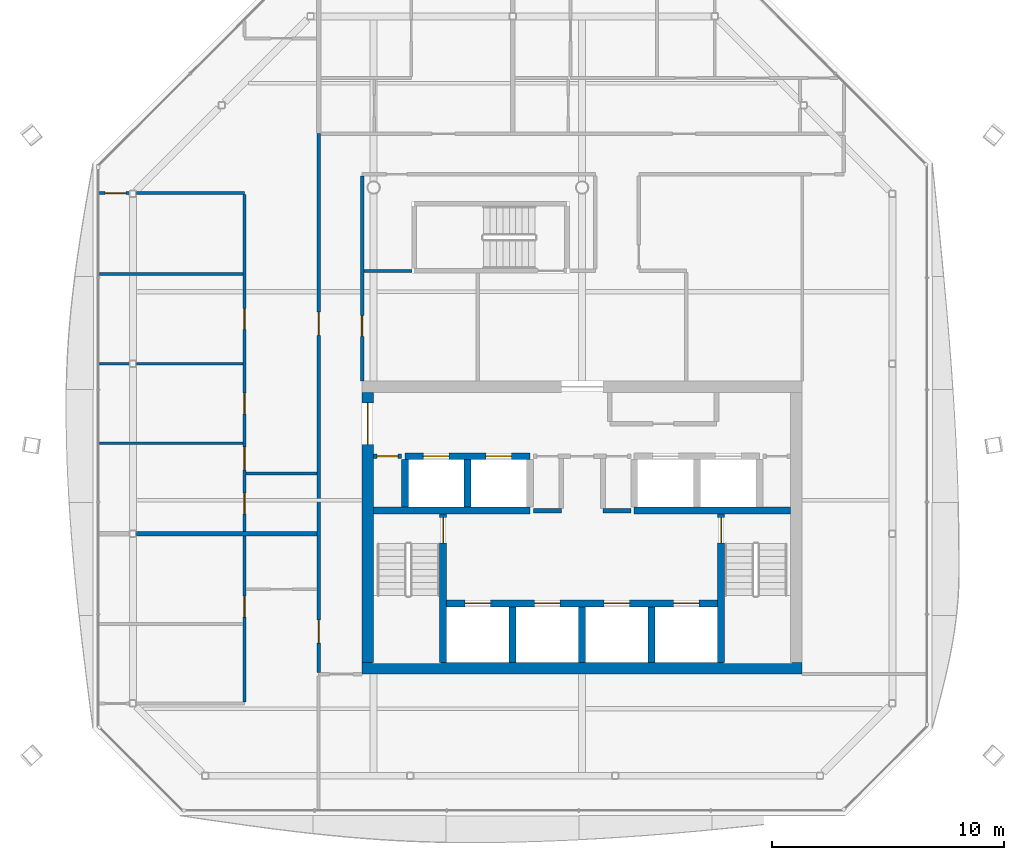
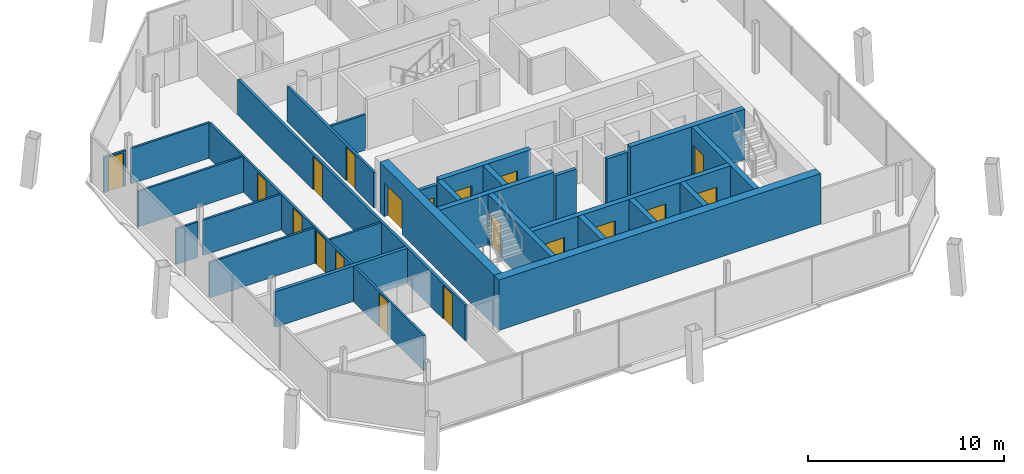
# One storey, part 10 of 15: 28 walls, 19 doors, 19 openings.
"""IFC4 building model written with IfcOpenShell, lengths in metres."""

from ifc_helpers import new_model, si_unit, direction, frame, frame_2d, origin, place, context, subcontext, project, spatial, rectangle, extrude, material, layer, layer_set, type_object, element, fill, save


model = new_model("IFC4")

# Units and contexts
model_context = context("Model", 3, precision=1e-05, world=origin(), true_north=direction((0.0, 1.0)))
body_context = subcontext(model_context, "Body", "Model", "MODEL_VIEW")
ifc_project = project(units=[si_unit("LENGTHUNIT", "METRE"), si_unit("AREAUNIT", "SQUARE_METRE"), si_unit("VOLUMEUNIT", "CUBIC_METRE"), si_unit("PLANEANGLEUNIT", "RADIAN"), si_unit("MASSUNIT", "GRAM", prefix="KILO")], contexts=[model_context])

# Site, building, storey
site_placement = place(None, origin())
site = spatial("IfcSite", under=ifc_project, at=site_placement, CompositionType="ELEMENT")
building_placement = place(site_placement, origin())
building = spatial("IfcBuilding", under=site, at=building_placement, Name="Tskaro Facet Tower", CompositionType="ELEMENT")
storey_placement = place(building_placement, frame((0.0, 0.0, 239.25)))
storey = spatial("IfcBuildingStorey", under=building, at=storey_placement, Name="L62", CompositionType="ELEMENT", Elevation=239.25)

# Wall, openings, doors
ifc_material_1 = material(Name="Concrete C60/75", Category="concrete")
ifc_layer_1 = layer(ifc_material_1, 0.300048828125, Name="Concrete C60/75")
ifc_layer_set_1 = layer_set([ifc_layer_1], Name="Concrete C60/75")
wall_type_1 = type_object("IfcWallType", Name="CORE-SHAFT", PredefinedType="SHEAR", material=ifc_layer_set_1)
wall_1_placement = place(storey_placement, frame((-5.85009765625, -8.949951171875, 0.0), z_axis=(0.0, 0.0, 1.0), x_axis=(1.0, 0.0, 0.0)))
wall_1 = element("IfcWall", 1, at=wall_1_placement, inside=storey, type_object=wall_type_1, Name="Shaft wall W006", PredefinedType="SHEAR", context=body_context, shape_type="SweptSolid", body=[
    extrude(rectangle(XDim=11.7001953125, YDim=0.300048828125, at=frame_2d((5.85009765625, 0.0))), origin(), (0.0, 0.0, 1.0), 3.14990234375),
])
opening_1_placement = place(wall_1_placement, frame((0.800048828125, 0.0, 0.0)))
opening_1 = element("IfcOpeningElement", 2, at=opening_1_placement, cuts=wall_1, Name="Opening LD-FF1", PredefinedType="OPENING", context=body_context, shape_type="SweptSolid", body=[
    extrude(rectangle(XDim=1.10009765625, YDim=2.10009765625, at=frame_2d((0.550048828125, 1.050048828125))), frame((0.0, 0.159912109375, 0.0), z_axis=(0.0, -1.0, 0.0), x_axis=(1.0, 0.0, 0.0)), (0.0, 0.0, 1.0), 0.320068359375),
])
opening_2_placement = place(wall_1_placement, frame((3.800048828125, 0.0, 0.0)))
opening_2 = element("IfcOpeningElement", 3, at=opening_2_placement, cuts=wall_1, Name="Opening LD-FF2", PredefinedType="OPENING", context=body_context, shape_type="SweptSolid", body=[
    extrude(rectangle(XDim=1.10009765625, YDim=2.10009765625, at=frame_2d((0.550048828125, 1.050048828125))), frame((0.0, 0.159912109375, 0.0), z_axis=(0.0, -1.0, 0.0), x_axis=(1.0, 0.0, 0.0)), (0.0, 0.0, 1.0), 0.320068359375),
])
opening_3_placement = place(wall_1_placement, frame((6.800048828125, 0.0, 0.0)))
opening_3 = element("IfcOpeningElement", 4, at=opening_3_placement, cuts=wall_1, Name="Opening LD-SV1", PredefinedType="OPENING", context=body_context, shape_type="SweptSolid", body=[
    extrude(rectangle(XDim=1.10009765625, YDim=2.10009765625, at=frame_2d((0.550048828125, 1.050048828125))), frame((0.0, 0.159912109375, 0.0), z_axis=(0.0, -1.0, 0.0), x_axis=(1.0, 0.0, 0.0)), (0.0, 0.0, 1.0), 0.320068359375),
])
opening_4_placement = place(wall_1_placement, frame((9.800048828125, 0.0, 0.0)))
opening_4 = element("IfcOpeningElement", 5, at=opening_4_placement, cuts=wall_1, Name="Opening LD-SV2", PredefinedType="OPENING", context=body_context, shape_type="SweptSolid", body=[
    extrude(rectangle(XDim=1.10009765625, YDim=2.10009765625, at=frame_2d((0.550048828125, 1.050048828125))), frame((0.0, 0.159912109375, 0.0), z_axis=(0.0, -1.0, 0.0), x_axis=(1.0, 0.0, 0.0)), (0.0, 0.0, 1.0), 0.320068359375),
])
ifc_material_2 = material(Name="Stainless steel", Category="steel")
door_type_1 = type_object("IfcDoorType", Name="D-LANDING", OperationType="NOTDEFINED", PredefinedType="DOOR", material=ifc_material_2)
door_1_placement = place(opening_1_placement, origin())
door_1 = element("IfcDoor", 6, at=door_1_placement, inside=storey, type_object=door_type_1, Name="Landing door FF1", OperationType="DOUBLE_DOOR_SLIDING", OverallHeight=2.10009765625, OverallWidth=1.10009765625, PredefinedType="DOOR", context=body_context, shape_type="SweptSolid", body=[
    extrude(rectangle(XDim=1.10009765625, YDim=2.10009765625, at=frame_2d((0.550048828125, 1.050048828125))), frame((0.0, 0.02490234375, 0.0), z_axis=(0.0, -1.0, 0.0), x_axis=(1.0, 0.0, 0.0)), (0.0, 0.0, 1.0), 0.050048828125),
])
fill(opening_1, door_1)
door_2_placement = place(opening_2_placement, origin())
door_2 = element("IfcDoor", 7, at=door_2_placement, inside=storey, type_object=door_type_1, Name="Landing door FF2", OperationType="DOUBLE_DOOR_SLIDING", OverallHeight=2.10009765625, OverallWidth=1.10009765625, PredefinedType="DOOR", context=body_context, shape_type="SweptSolid", body=[
    extrude(rectangle(XDim=1.10009765625, YDim=2.10009765625, at=frame_2d((0.550048828125, 1.050048828125))), frame((0.0, 0.02490234375, 0.0), z_axis=(0.0, -1.0, 0.0), x_axis=(1.0, 0.0, 0.0)), (0.0, 0.0, 1.0), 0.050048828125),
])
fill(opening_2, door_2)
door_3_placement = place(opening_3_placement, origin())
door_3 = element("IfcDoor", 8, at=door_3_placement, inside=storey, type_object=door_type_1, Name="Landing door SV1", OperationType="DOUBLE_DOOR_SLIDING", OverallHeight=2.10009765625, OverallWidth=1.10009765625, PredefinedType="DOOR", context=body_context, shape_type="SweptSolid", body=[
    extrude(rectangle(XDim=1.10009765625, YDim=2.10009765625, at=frame_2d((0.550048828125, 1.050048828125))), frame((0.0, 0.02490234375, 0.0), z_axis=(0.0, -1.0, 0.0), x_axis=(1.0, 0.0, 0.0)), (0.0, 0.0, 1.0), 0.050048828125),
])
fill(opening_3, door_3)
door_4_placement = place(opening_4_placement, origin())
door_4 = element("IfcDoor", 9, at=door_4_placement, inside=storey, type_object=door_type_1, Name="Landing door SV2", OperationType="DOUBLE_DOOR_SLIDING", OverallHeight=2.10009765625, OverallWidth=1.10009765625, PredefinedType="DOOR", context=body_context, shape_type="SweptSolid", body=[
    extrude(rectangle(XDim=1.10009765625, YDim=2.10009765625, at=frame_2d((0.550048828125, 1.050048828125))), frame((0.0, 0.02490234375, 0.0), z_axis=(0.0, -1.0, 0.0), x_axis=(1.0, 0.0, 0.0)), (0.0, 0.0, 1.0), 0.050048828125),
])
fill(opening_4, door_4)

# Walls
for number, where, z_axis, x_axis, name in (
    (10, (-9.0, -4.949951171875, 0.0), (0.0, 0.0, 1.0), (1.0, 0.0, 0.0), "Shaft wall W010"),
    (11, (2.25, -4.949951171875, 0.0), (0.0, 0.0, 1.0), (1.0, 0.0, 0.0), "Shaft wall W013"),
):
    element("IfcWall", number, at=place(storey_placement, frame(where, z_axis=z_axis, x_axis=x_axis)), inside=storey, type_object=wall_type_1, Name=name, PredefinedType="SHEAR", context=body_context, shape_type="SweptSolid", body=[
        extrude(rectangle(XDim=6.75, YDim=0.300048828125, at=frame_2d((3.375, 0.0))), origin(), (0.0, 0.0, 1.0), 3.14990234375),
    ])

# Wall, openings, doors
wall_2_placement = place(storey_placement, frame((-7.64990234375, -2.60009765625, 0.0), z_axis=(0.0, 0.0, 1.0), x_axis=(1.0, 0.0, 0.0)))
wall_2 = element("IfcWall", 12, at=wall_2_placement, inside=storey, type_object=wall_type_1, Name="Shaft wall W016", PredefinedType="SHEAR", context=body_context, shape_type="SweptSolid", body=[
    extrude(rectangle(XDim=5.39990234375, YDim=0.300048828125, at=frame_2d((2.699951171875, 0.0))), origin(), (0.0, 0.0, 1.0), 3.14990234375),
])
opening_5_placement = place(wall_2_placement, frame((0.800048828125, 0.0, 0.0)))
opening_5 = element("IfcOpeningElement", 13, at=opening_5_placement, cuts=wall_2, Name="Opening LD-HB1", PredefinedType="OPENING", context=body_context, shape_type="SweptSolid", body=[
    extrude(rectangle(XDim=1.10009765625, YDim=2.10009765625, at=frame_2d((0.550048828125, 1.050048828125))), frame((0.0, 0.159912109375, 0.0), z_axis=(0.0, -1.0, 0.0), x_axis=(1.0, 0.0, 0.0)), (0.0, 0.0, 1.0), 0.320068359375),
])
opening_6_placement = place(wall_2_placement, frame((3.5, 0.0, 0.0)))
opening_6 = element("IfcOpeningElement", 14, at=opening_6_placement, cuts=wall_2, Name="Opening LD-HB2", PredefinedType="OPENING", context=body_context, shape_type="SweptSolid", body=[
    extrude(rectangle(XDim=1.10009765625, YDim=2.10009765625, at=frame_2d((0.550048828125, 1.050048828125))), frame((0.0, 0.159912109375, 0.0), z_axis=(0.0, -1.0, 0.0), x_axis=(1.0, 0.0, 0.0)), (0.0, 0.0, 1.0), 0.320068359375),
])
door_5_placement = place(opening_5_placement, origin())
door_5 = element("IfcDoor", 15, at=door_5_placement, inside=storey, type_object=door_type_1, Name="Landing door HB1", OperationType="DOUBLE_DOOR_SLIDING", OverallHeight=2.10009765625, OverallWidth=1.10009765625, PredefinedType="DOOR", context=body_context, shape_type="SweptSolid", body=[
    extrude(rectangle(XDim=1.10009765625, YDim=2.10009765625, at=frame_2d((0.550048828125, 1.050048828125))), frame((0.0, 0.02490234375, 0.0), z_axis=(0.0, -1.0, 0.0), x_axis=(1.0, 0.0, 0.0)), (0.0, 0.0, 1.0), 0.050048828125),
])
fill(opening_5, door_5)
door_6_placement = place(opening_6_placement, origin())
door_6 = element("IfcDoor", 16, at=door_6_placement, inside=storey, type_object=door_type_1, Name="Landing door HB2", OperationType="DOUBLE_DOOR_SLIDING", OverallHeight=2.10009765625, OverallWidth=1.10009765625, PredefinedType="DOOR", context=body_context, shape_type="SweptSolid", body=[
    extrude(rectangle(XDim=1.10009765625, YDim=2.10009765625, at=frame_2d((0.550048828125, 1.050048828125))), frame((0.0, 0.02490234375, 0.0), z_axis=(0.0, -1.0, 0.0), x_axis=(1.0, 0.0, 0.0)), (0.0, 0.0, 1.0), 0.050048828125),
])
fill(opening_6, door_6)

# Wall
wall_3_placement = place(storey_placement, frame((-7.64990234375, -4.800048828125, 0.0), z_axis=(0.0, 0.0, 1.0), x_axis=(0.0, 1.0, 0.0)))
element("IfcWall", 17, at=wall_3_placement, inside=storey, type_object=wall_type_1, Name="Shaft wall W046", PredefinedType="SHEAR", context=body_context, shape_type="SweptSolid", body=[
    extrude(rectangle(XDim=2.050048828125, YDim=0.300048828125, at=frame_2d((1.02490234375, 0.0))), origin(), (0.0, 0.0, 1.0), 3.14990234375),
])

# Wall, opening, door
wall_4_placement = place(storey_placement, frame((-6.0, -11.5, 0.0), z_axis=(0.0, 0.0, 1.0), x_axis=(0.0, 1.0, 0.0)))
wall_4 = element("IfcWall", 18, at=wall_4_placement, inside=storey, type_object=wall_type_1, Name="Shaft wall W049", PredefinedType="SHEAR", context=body_context, shape_type="SweptSolid", body=[
    extrude(rectangle(XDim=6.39990234375, YDim=0.300048828125, at=frame_2d((3.199951171875, 0.0))), origin(), (0.0, 0.0, 1.0), 3.14990234375),
])
opening_7_placement = place(wall_4_placement, frame((5.14990234375, 0.0, 0.0)))
opening_7 = element("IfcOpeningElement", 19, at=opening_7_placement, cuts=wall_4, Name="Opening ST-1-D1", PredefinedType="OPENING", context=body_context, shape_type="SweptSolid", body=[
    extrude(rectangle(XDim=1.10009765625, YDim=2.10009765625, at=frame_2d((0.550048828125, 1.050048828125))), frame((0.0, 0.159912109375, 0.0), z_axis=(0.0, -1.0, 0.0), x_axis=(1.0, 0.0, 0.0)), (0.0, 0.0, 1.0), 0.320068359375),
])
ifc_material_3 = material(Name="Steel", Category="steel")
door_type_2 = type_object("IfcDoorType", Name="D-STAIR", OperationType="NOTDEFINED", PredefinedType="DOOR", material=ifc_material_3)
door_7_placement = place(opening_7_placement, origin())
door_7 = element("IfcDoor", 20, at=door_7_placement, inside=storey, type_object=door_type_2, Name="Stair door 1", OperationType="SINGLE_SWING_LEFT", OverallHeight=2.10009765625, OverallWidth=1.10009765625, PredefinedType="DOOR", context=body_context, shape_type="SweptSolid", body=[
    extrude(rectangle(XDim=1.10009765625, YDim=2.10009765625, at=frame_2d((0.550048828125, 1.050048828125))), frame((0.0, 0.02490234375, 0.0), z_axis=(0.0, -1.0, 0.0), x_axis=(1.0, 0.0, 0.0)), (0.0, 0.0, 1.0), 0.050048828125),
])
fill(opening_7, door_7)

# Walls
wall_5_placement = place(storey_placement, frame((-4.949951171875, -4.800048828125, 0.0), z_axis=(0.0, 0.0, 1.0), x_axis=(0.0, 1.0, 0.0)))
element("IfcWall", 21, at=wall_5_placement, inside=storey, type_object=wall_type_1, Name="Shaft wall W050", PredefinedType="SHEAR", context=body_context, shape_type="SweptSolid", body=[
    extrude(rectangle(XDim=2.050048828125, YDim=0.300048828125, at=frame_2d((1.02490234375, 0.0))), origin(), (0.0, 0.0, 1.0), 3.14990234375),
])
for number, where, z_axis, x_axis, name in (
    (22, (-3.0, -11.5, 0.0), (0.0, 0.0, 1.0), (0.0, 1.0, 0.0), "Shaft wall W052"),
    (23, (0.0, -11.5, 0.0), (0.0, 0.0, 1.0), (0.0, 1.0, 0.0), "Shaft wall W060"),
    (24, (3.0, -11.5, 0.0), (0.0, 0.0, 1.0), (0.0, 1.0, 0.0), "Shaft wall W066"),
):
    element("IfcWall", number, at=place(storey_placement, frame(where, z_axis=z_axis, x_axis=x_axis)), inside=storey, type_object=wall_type_1, Name=name, PredefinedType="SHEAR", context=body_context, shape_type="SweptSolid", body=[
        extrude(rectangle(XDim=2.39990234375, YDim=0.300048828125, at=frame_2d((1.199951171875, 0.0))), origin(), (0.0, 0.0, 1.0), 3.14990234375),
    ])

# Wall, opening, door
wall_6_placement = place(storey_placement, frame((6.0, -5.10009765625, 0.0), z_axis=(0.0, 0.0, 1.0), x_axis=(0.0, -1.0, 0.0)))
wall_6 = element("IfcWall", 25, at=wall_6_placement, inside=storey, type_object=wall_type_1, Name="Shaft wall W073", PredefinedType="SHEAR", context=body_context, shape_type="SweptSolid", body=[
    extrude(rectangle(XDim=6.39990234375, YDim=0.300048828125, at=frame_2d((3.199951171875, 0.0))), origin(), (0.0, 0.0, 1.0), 3.14990234375),
])
opening_8_placement = place(wall_6_placement, frame((0.14990234375, 0.0, 0.0)))
opening_8 = element("IfcOpeningElement", 26, at=opening_8_placement, cuts=wall_6, Name="Opening ST-2-D1", PredefinedType="OPENING", context=body_context, shape_type="SweptSolid", body=[
    extrude(rectangle(XDim=1.10009765625, YDim=2.10009765625, at=frame_2d((0.550048828125, 1.050048828125))), frame((0.0, 0.159912109375, 0.0), z_axis=(0.0, -1.0, 0.0), x_axis=(1.0, 0.0, 0.0)), (0.0, 0.0, 1.0), 0.320068359375),
])
door_8_placement = place(opening_8_placement, origin())
door_8 = element("IfcDoor", 27, at=door_8_placement, inside=storey, type_object=door_type_2, Name="Stair door 2", OperationType="SINGLE_SWING_RIGHT", OverallHeight=2.10009765625, OverallWidth=1.10009765625, PredefinedType="DOOR", context=body_context, shape_type="SweptSolid", body=[
    extrude(rectangle(XDim=1.10009765625, YDim=2.10009765625, at=frame_2d((0.550048828125, 1.050048828125))), frame((0.0, 0.02490234375, 0.0), z_axis=(0.0, -1.0, 0.0), x_axis=(1.0, 0.0, 0.0)), (0.0, 0.0, 1.0), 0.050048828125),
])
fill(opening_8, door_8)

# Walls
ifc_material_4 = material(Name="Concrete C20/25", Category="concrete")
ifc_layer_2 = layer(ifc_material_4, 0.199951171875, Name="Concrete C20/25")
ifc_layer_set_2 = layer_set([ifc_layer_2], Name="Concrete C20/25")
wall_type_2 = type_object("IfcWallType", Name="CORE-WALL", PredefinedType="SOLIDWALL", material=ifc_layer_set_2)
for number, where, z_axis, x_axis, name in (
    (28, (-2.10009765625, -4.949951171875, 0.0), (0.0, 0.0, 1.0), (1.0, 0.0, 0.0), "Core room wall W011"),
    (29, (0.89990234375, -4.949951171875, 0.0), (0.0, 0.0, 1.0), (1.0, 0.0, 0.0), "Core room wall W012"),
):
    element("IfcWall", number, at=place(storey_placement, frame(where, z_axis=z_axis, x_axis=x_axis)), inside=storey, type_object=wall_type_2, Name=name, PredefinedType="SOLIDWALL", context=body_context, shape_type="SweptSolid", body=[
        extrude(rectangle(XDim=1.2001953125, YDim=0.199951171875, at=frame_2d((0.60009765625, 0.0))), origin(), (0.0, 0.0, 1.0), 2.85009765625),
    ])

# Wall, opening, door
wall_7_placement = place(storey_placement, frame((-7.800048828125, -2.60009765625, 0.0), z_axis=(0.0, 0.0, 1.0), x_axis=(-1.0, 0.0, 0.0)))
wall_7 = element("IfcWall", 30, at=wall_7_placement, inside=storey, type_object=wall_type_2, Name="Core room wall W015", PredefinedType="SOLIDWALL", context=body_context, shape_type="SweptSolid", body=[
    extrude(rectangle(XDim=1.199951171875, YDim=0.199951171875, at=frame_2d((0.60009765625, 0.0))), origin(), (0.0, 0.0, 1.0), 2.85009765625),
])
opening_9_placement = place(wall_7_placement, frame((0.14990234375, 0.0, 0.0)))
opening_9 = element("IfcOpeningElement", 31, at=opening_9_placement, cuts=wall_7, Name="Opening T18-D08", PredefinedType="OPENING", context=body_context, shape_type="SweptSolid", body=[
    extrude(rectangle(XDim=0.89990234375, YDim=2.10009765625, at=frame_2d((0.449951171875, 1.050048828125))), frame((0.0, 0.10986328125, 0.0), z_axis=(0.0, -1.0, 0.0), x_axis=(1.0, 0.0, 0.0)), (0.0, 0.0, 1.0), 0.219970703125),
])
ifc_material_5 = material(Name="Timber", Category="wood")
door_type_3 = type_object("IfcDoorType", Name="D-ROOM", OperationType="NOTDEFINED", PredefinedType="DOOR", material=ifc_material_5)
door_9_placement = place(opening_9_placement, origin())
door_9 = element("IfcDoor", 32, at=door_9_placement, inside=storey, type_object=door_type_3, Name="Door T18-D08", OperationType="SINGLE_SWING_RIGHT", OverallHeight=2.10009765625, OverallWidth=0.89990234375, PredefinedType="DOOR", context=body_context, shape_type="SweptSolid", body=[
    extrude(rectangle(XDim=0.89990234375, YDim=2.10009765625, at=frame_2d((0.449951171875, 1.050048828125))), frame((0.0, 0.02490234375, 0.0), z_axis=(0.0, -1.0, 0.0), x_axis=(1.0, 0.0, 0.0)), (0.0, 0.0, 1.0), 0.050048828125),
])
fill(opening_9, door_9)

# Wall
ifc_material_6 = material(Name="Concrete C40/50", Category="concrete")
ifc_layer_3 = layer(ifc_material_6, 0.5, Name="Concrete C40/50")
ifc_layer_set_3 = layer_set([ifc_layer_3], Name="Concrete C40/50")
wall_type_3 = type_object("IfcWallType", Name="Core wall 500", PredefinedType="SHEAR", material=ifc_layer_set_3)
wall_8_placement = place(storey_placement, frame((-9.5, -11.75, 0.0), z_axis=(0.0, 0.0, 1.0), x_axis=(1.0, 0.0, 0.0)))
element("IfcWall", 33, at=wall_8_placement, inside=storey, type_object=wall_type_3, Name="Core wall CW-Z3S", PredefinedType="SHEAR", context=body_context, shape_type="SweptSolid", body=[
    extrude(rectangle(XDim=19.0, YDim=0.5, at=frame_2d((9.5, 0.0))), origin(), (0.0, 0.0, 1.0), 3.14990234375),
])

# Wall, opening, door
wall_9_placement = place(storey_placement, frame((-9.25, -11.5, 0.0), z_axis=(0.0, 0.0, 1.0), x_axis=(0.0, 1.0, 0.0)))
wall_9 = element("IfcWall", 34, at=wall_9_placement, inside=storey, type_object=wall_type_3, Name="Core wall CW-Z3W", PredefinedType="SHEAR", context=body_context, shape_type="SweptSolid", body=[
    extrude(rectangle(XDim=11.64990234375, YDim=0.5, at=frame_2d((5.824951171875, 0.0))), origin(), (0.0, 0.0, 1.0), 3.14990234375),
])
opening_10_placement = place(wall_9_placement, frame((9.39990234375, 0.0, 0.0)))
opening_10 = element("IfcOpeningElement", 35, at=opening_10_placement, cuts=wall_9, Name="Opening T18-D12", PredefinedType="OPENING", context=body_context, shape_type="SweptSolid", body=[
    extrude(rectangle(XDim=1.800048828125, YDim=2.10009765625, at=frame_2d((0.89990234375, 1.050048828125))), frame((0.0, 0.260009765625, 0.0), z_axis=(0.0, -1.0, 0.0), x_axis=(1.0, 0.0, 0.0)), (0.0, 0.0, 1.0), 0.52001953125),
])
door_type_4 = type_object("IfcDoorType", Name="D-CORE-PAIR", OperationType="NOTDEFINED", PredefinedType="DOOR", material=ifc_material_3)
door_10_placement = place(opening_10_placement, origin())
door_10 = element("IfcDoor", 36, at=door_10_placement, inside=storey, type_object=door_type_4, Name="Door T18-D12", OperationType="DOUBLE_DOOR_SINGLE_SWING", OverallHeight=2.10009765625, OverallWidth=1.800048828125, PredefinedType="DOOR", context=body_context, shape_type="SweptSolid", body=[
    extrude(rectangle(XDim=1.800048828125, YDim=2.10009765625, at=frame_2d((0.89990234375, 1.050048828125))), frame((0.0, 0.02490234375, 0.0), z_axis=(0.0, -1.0, 0.0), x_axis=(1.0, 0.0, 0.0)), (0.0, 0.0, 1.0), 0.050048828125),
])
fill(opening_10, door_10)

# Walls
ifc_material_7 = material(Name="Gypsum board on steel studs", Category="steel")
ifc_layer_4 = layer(ifc_material_7, 0.125, Name="Gypsum board on steel studs")
ifc_layer_set_4 = layer_set([ifc_layer_4], Name="Gypsum board on steel studs")
wall_type_4 = type_object("IfcWallType", Name="PART", PredefinedType="PARTITIONING", material=ifc_layer_set_4)
wall_10_placement = place(storey_placement, frame((-14.512451171875, -3.340087890625, 0.0), z_axis=(0.0, 0.0, 1.0), x_axis=(1.0, 0.0, 0.0)))
element("IfcWall", 37, at=wall_10_placement, inside=storey, type_object=wall_type_4, Name="Partition W014", PredefinedType="PARTITIONING", context=body_context, shape_type="SweptSolid", body=[
    extrude(rectangle(XDim=3.0625, YDim=0.125, at=frame_2d((1.53125, 0.0))), origin(), (0.0, 0.0, 1.0), 2.2099609375),
])
wall_11_placement = place(storey_placement, frame((-20.839111328125, -2.0400390625, 0.0), z_axis=(0.0, 0.0, 1.0), x_axis=(1.0, 0.0, 0.0)))
element("IfcWall", 38, at=wall_11_placement, inside=storey, type_object=wall_type_4, Name="Partition W020", PredefinedType="PARTITIONING", context=body_context, shape_type="SweptSolid", body=[
    extrude(rectangle(XDim=6.20166015625, YDim=0.125, at=frame_2d((3.100830078125, 0.0))), origin(), (0.0, 0.0, 1.0), 2.2099609375),
])
wall_12_placement = place(storey_placement, frame((-20.839111328125, 1.39501953125, 0.0), z_axis=(0.0, 0.0, 1.0), x_axis=(1.0, 0.0, 0.0)))
element("IfcWall", 39, at=wall_12_placement, inside=storey, type_object=wall_type_4, Name="Partition W022", PredefinedType="PARTITIONING", context=body_context, shape_type="SweptSolid", body=[
    extrude(rectangle(XDim=1.298095703125, YDim=0.125, at=frame_2d((0.64892578125, 0.0))), origin(), (0.0, 0.0, 1.0), 2.2099609375),
])
wall_13_placement = place(storey_placement, frame((-19.240966796875, 1.39501953125, 0.0), z_axis=(0.0, 0.0, 1.0), x_axis=(1.0, 0.0, 0.0)))
element("IfcWall", 40, at=wall_13_placement, inside=storey, type_object=wall_type_4, Name="Partition W023", PredefinedType="PARTITIONING", context=body_context, shape_type="SweptSolid", body=[
    extrude(rectangle(XDim=4.603515625, YDim=0.125, at=frame_2d((2.3017578125, 0.0))), origin(), (0.0, 0.0, 1.0), 2.2099609375),
])
wall_14_placement = place(storey_placement, frame((-20.839111328125, 5.260009765625, 0.0), z_axis=(0.0, 0.0, 1.0), x_axis=(1.0, 0.0, 0.0)))
element("IfcWall", 41, at=wall_14_placement, inside=storey, type_object=wall_type_4, Name="Partition W024", PredefinedType="PARTITIONING", context=body_context, shape_type="SweptSolid", body=[
    extrude(rectangle(XDim=6.20166015625, YDim=0.125, at=frame_2d((3.100830078125, 0.0))), origin(), (0.0, 0.0, 1.0), 2.2099609375),
])
wall_15_placement = place(storey_placement, frame((-9.425048828125, 5.39990234375, 0.0), z_axis=(0.0, 0.0, 1.0), x_axis=(1.0, 0.0, 0.0)))
element("IfcWall", 42, at=wall_15_placement, inside=storey, type_object=wall_type_4, Name="Partition W025", PredefinedType="PARTITIONING", context=body_context, shape_type="SweptSolid", body=[
    extrude(rectangle(XDim=2.074951171875, YDim=0.125, at=frame_2d((1.03759765625, 0.0))), origin(), (0.0, 0.0, 1.0), 2.2099609375),
])

# Wall, opening, door
wall_16_placement = place(storey_placement, frame((-19.541015625, 8.760009765625, 0.0), z_axis=(0.0, 0.0, 1.0), x_axis=(-1.0, 0.0, 0.0)))
wall_16 = element("IfcWall", 43, at=wall_16_placement, inside=storey, type_object=wall_type_4, Name="Partition W030", PredefinedType="PARTITIONING", context=body_context, shape_type="SweptSolid", body=[
    extrude(rectangle(XDim=1.298095703125, YDim=0.125, at=frame_2d((0.64892578125, 0.0))), origin(), (0.0, 0.0, 1.0), 2.2099609375),
])
opening_11_placement = place(wall_16_placement, frame((0.14990234375, 0.0, 0.0)))
opening_11 = element("IfcOpeningElement", 44, at=opening_11_placement, cuts=wall_16, Name="Opening T18-D20", PredefinedType="OPENING", context=body_context, shape_type="SweptSolid", body=[
    extrude(rectangle(XDim=0.89990234375, YDim=2.10009765625, at=frame_2d((0.449951171875, 1.050048828125))), frame((0.0, 0.072509765625, 0.0), z_axis=(0.0, -1.0, 0.0), x_axis=(1.0, 0.0, 0.0)), (0.0, 0.0, 1.0), 0.14501953125),
])
door_11_placement = place(opening_11_placement, origin())
door_11 = element("IfcDoor", 45, at=door_11_placement, inside=storey, type_object=door_type_3, Name="Door T18-D20", OperationType="SINGLE_SWING_RIGHT", OverallHeight=2.10009765625, OverallWidth=0.89990234375, PredefinedType="DOOR", context=body_context, shape_type="SweptSolid", body=[
    extrude(rectangle(XDim=0.89990234375, YDim=2.10009765625, at=frame_2d((0.449951171875, 1.050048828125))), frame((0.0, 0.02490234375, 0.0), z_axis=(0.0, -1.0, 0.0), x_axis=(1.0, 0.0, 0.0)), (0.0, 0.0, 1.0), 0.050048828125),
])
fill(opening_11, door_11)

# Wall
wall_17_placement = place(storey_placement, frame((-19.240966796875, 8.760009765625, 0.0), z_axis=(0.0, 0.0, 1.0), x_axis=(1.0, 0.0, 0.0)))
element("IfcWall", 46, at=wall_17_placement, inside=storey, type_object=wall_type_4, Name="Partition W031", PredefinedType="PARTITIONING", context=body_context, shape_type="SweptSolid", body=[
    extrude(rectangle(XDim=4.666015625, YDim=0.125, at=frame_2d((2.3330078125, 0.0))), origin(), (0.0, 0.0, 1.0), 2.2099609375),
])

# Wall, openings, doors
wall_18_placement = place(storey_placement, frame((-14.574951171875, -13.20751953125, 0.0), z_axis=(0.0, 0.0, 1.0), x_axis=(0.0, 1.0, 0.0)))
wall_18 = element("IfcWall", 47, at=wall_18_placement, inside=storey, type_object=wall_type_4, Name="Partition W039", PredefinedType="PARTITIONING", context=body_context, shape_type="SweptSolid", body=[
    extrude(rectangle(XDim=21.905029296875, YDim=0.125, at=frame_2d((10.95263671875, 0.0))), origin(), (0.0, 0.0, 1.0), 2.2099609375),
])
opening_12_placement = place(wall_18_placement, frame((3.66748046875, 0.0, 0.0)))
opening_12 = element("IfcOpeningElement", 48, at=opening_12_placement, cuts=wall_18, Name="Opening T18-D04", PredefinedType="OPENING", context=body_context, shape_type="SweptSolid", body=[
    extrude(rectangle(XDim=0.89990234375, YDim=2.10009765625, at=frame_2d((0.449951171875, 1.050048828125))), frame((0.0, 0.072509765625, 0.0), z_axis=(0.0, -1.0, 0.0), x_axis=(1.0, 0.0, 0.0)), (0.0, 0.0, 1.0), 0.14501953125),
])
opening_13_placement = place(wall_18_placement, frame((12.43505859375, 0.0, 0.0)))
opening_13 = element("IfcOpeningElement", 49, at=opening_13_placement, cuts=wall_18, Name="Opening T18-D14", PredefinedType="OPENING", context=body_context, shape_type="SweptSolid", body=[
    extrude(rectangle(XDim=0.89990234375, YDim=2.10009765625, at=frame_2d((0.449951171875, 1.050048828125))), frame((0.0, 0.072509765625, 0.0), z_axis=(0.0, -1.0, 0.0), x_axis=(1.0, 0.0, 0.0)), (0.0, 0.0, 1.0), 0.14501953125),
])
opening_14_placement = place(wall_18_placement, frame((16.0849609375, 0.0, 0.0)))
opening_14 = element("IfcOpeningElement", 50, at=opening_14_placement, cuts=wall_18, Name="Opening T18-D18", PredefinedType="OPENING", context=body_context, shape_type="SweptSolid", body=[
    extrude(rectangle(XDim=0.89990234375, YDim=2.10009765625, at=frame_2d((0.449951171875, 1.050048828125))), frame((0.0, 0.072509765625, 0.0), z_axis=(0.0, -1.0, 0.0), x_axis=(1.0, 0.0, 0.0)), (0.0, 0.0, 1.0), 0.14501953125),
])
opening_15_placement = place(wall_18_placement, frame((10.017578125, 0.0, 0.0)))
opening_15 = element("IfcOpeningElement", 51, at=opening_15_placement, cuts=wall_18, Name="Opening T18-D07", PredefinedType="OPENING", context=body_context, shape_type="SweptSolid", body=[
    extrude(rectangle(XDim=1.0, YDim=2.10009765625, at=frame_2d((0.5, 1.050048828125))), frame((0.0, 0.072509765625, 0.0), z_axis=(0.0, -1.0, 0.0), x_axis=(1.0, 0.0, 0.0)), (0.0, 0.0, 1.0), 0.14501953125),
])
opening_16_placement = place(wall_18_placement, frame((8.117431640625, 0.0, 0.0)))
opening_16 = element("IfcOpeningElement", 52, at=opening_16_placement, cuts=wall_18, Name="Opening T18-D06", PredefinedType="OPENING", context=body_context, shape_type="SweptSolid", body=[
    extrude(rectangle(XDim=0.89990234375, YDim=2.10009765625, at=frame_2d((0.449951171875, 1.050048828125))), frame((0.0, 0.072509765625, 0.0), z_axis=(0.0, -1.0, 0.0), x_axis=(1.0, 0.0, 0.0)), (0.0, 0.0, 1.0), 0.14501953125),
])
door_12_placement = place(opening_12_placement, origin())
door_12 = element("IfcDoor", 53, at=door_12_placement, inside=storey, type_object=door_type_3, Name="Door T18-D04", OperationType="SINGLE_SWING_LEFT", OverallHeight=2.10009765625, OverallWidth=0.89990234375, PredefinedType="DOOR", context=body_context, shape_type="SweptSolid", body=[
    extrude(rectangle(XDim=0.89990234375, YDim=2.10009765625, at=frame_2d((0.449951171875, 1.050048828125))), frame((0.0, 0.02490234375, 0.0), z_axis=(0.0, -1.0, 0.0), x_axis=(1.0, 0.0, 0.0)), (0.0, 0.0, 1.0), 0.050048828125),
])
fill(opening_12, door_12)
door_13_placement = place(opening_13_placement, origin())
door_13 = element("IfcDoor", 54, at=door_13_placement, inside=storey, type_object=door_type_3, Name="Door T18-D14", OperationType="SINGLE_SWING_LEFT", OverallHeight=2.10009765625, OverallWidth=0.89990234375, PredefinedType="DOOR", context=body_context, shape_type="SweptSolid", body=[
    extrude(rectangle(XDim=0.89990234375, YDim=2.10009765625, at=frame_2d((0.449951171875, 1.050048828125))), frame((0.0, 0.02490234375, 0.0), z_axis=(0.0, -1.0, 0.0), x_axis=(1.0, 0.0, 0.0)), (0.0, 0.0, 1.0), 0.050048828125),
])
fill(opening_13, door_13)
door_14_placement = place(opening_14_placement, origin())
door_14 = element("IfcDoor", 55, at=door_14_placement, inside=storey, type_object=door_type_3, Name="Door T18-D18", OperationType="SINGLE_SWING_LEFT", OverallHeight=2.10009765625, OverallWidth=0.89990234375, PredefinedType="DOOR", context=body_context, shape_type="SweptSolid", body=[
    extrude(rectangle(XDim=0.89990234375, YDim=2.10009765625, at=frame_2d((0.449951171875, 1.050048828125))), frame((0.0, 0.02490234375, 0.0), z_axis=(0.0, -1.0, 0.0), x_axis=(1.0, 0.0, 0.0)), (0.0, 0.0, 1.0), 0.050048828125),
])
fill(opening_14, door_14)
door_15_placement = place(opening_16_placement, origin())
door_15 = element("IfcDoor", 56, at=door_15_placement, inside=storey, type_object=door_type_3, Name="Door T18-D06", OperationType="SINGLE_SWING_LEFT", OverallHeight=2.10009765625, OverallWidth=0.89990234375, PredefinedType="DOOR", context=body_context, shape_type="SweptSolid", body=[
    extrude(rectangle(XDim=0.89990234375, YDim=2.10009765625, at=frame_2d((0.449951171875, 1.050048828125))), frame((0.0, 0.02490234375, 0.0), z_axis=(0.0, -1.0, 0.0), x_axis=(1.0, 0.0, 0.0)), (0.0, 0.0, 1.0), 0.050048828125),
])
fill(opening_16, door_15)
door_type_5 = type_object("IfcDoorType", Name="D-ROOM-WIDE", OperationType="NOTDEFINED", PredefinedType="DOOR", material=ifc_material_5)
door_16_placement = place(opening_15_placement, origin())
door_16 = element("IfcDoor", 57, at=door_16_placement, inside=storey, type_object=door_type_5, Name="Door T18-D07", OperationType="SINGLE_SWING_LEFT", OverallHeight=2.10009765625, OverallWidth=1.0, PredefinedType="DOOR", context=body_context, shape_type="SweptSolid", body=[
    extrude(rectangle(XDim=1.0, YDim=2.10009765625, at=frame_2d((0.5, 1.050048828125))), frame((0.0, 0.02490234375, 0.0), z_axis=(0.0, -1.0, 0.0), x_axis=(1.0, 0.0, 0.0)), (0.0, 0.0, 1.0), 0.050048828125),
])
fill(opening_15, door_16)

ifc_layer_5 = layer(ifc_material_7, 0.14990234375, Name="Gypsum board on steel studs")
ifc_layer_set_5 = layer_set([ifc_layer_5], Name="Gypsum board on steel studs")
wall_type_5 = type_object("IfcWallType", Name="PART-CORR", PredefinedType="PARTITIONING", material=ifc_layer_set_5)
wall_19_placement = place(storey_placement, frame((-11.375, -11.925048828125, 0.0), z_axis=(0.0, 0.0, 1.0), x_axis=(0.0, 1.0, 0.0)))
wall_19 = element("IfcWall", 58, at=wall_19_placement, inside=storey, type_object=wall_type_5, Name="Corridor wall W042", PredefinedType="PARTITIONING", context=body_context, shape_type="SweptSolid", body=[
    extrude(rectangle(XDim=23.25, YDim=0.14990234375, at=frame_2d((11.625, 0.0))), origin(), (0.0, 0.0, 1.0), 2.2099609375),
])
opening_17_placement = place(wall_19_placement, frame((1.2548828125, 0.0, 0.0)))
opening_17 = element("IfcOpeningElement", 59, at=opening_17_placement, cuts=wall_19, Name="Opening T18-D03", PredefinedType="OPENING", context=body_context, shape_type="SweptSolid", body=[
    extrude(rectangle(XDim=1.0, YDim=2.10009765625, at=frame_2d((0.5, 1.050048828125))), frame((0.0, 0.0849609375, 0.0), z_axis=(0.0, -1.0, 0.0), x_axis=(1.0, 0.0, 0.0)), (0.0, 0.0, 1.0), 0.169921875),
])
opening_18_placement = place(wall_19_placement, frame((14.54248046875, 0.0, 0.0)))
opening_18 = element("IfcOpeningElement", 60, at=opening_18_placement, cuts=wall_19, Name="Opening T18-D17", PredefinedType="OPENING", context=body_context, shape_type="SweptSolid", body=[
    extrude(rectangle(XDim=1.0, YDim=2.10009765625, at=frame_2d((0.5, 1.050048828125))), frame((0.0, 0.0849609375, 0.0), z_axis=(0.0, -1.0, 0.0), x_axis=(1.0, 0.0, 0.0)), (0.0, 0.0, 1.0), 0.169921875),
])
door_type_6 = type_object("IfcDoorType", Name="D-FLAT-ENTRY", OperationType="NOTDEFINED", PredefinedType="DOOR", material=ifc_material_5)
door_17_placement = place(opening_17_placement, origin())
door_17 = element("IfcDoor", 61, at=door_17_placement, inside=storey, type_object=door_type_6, Name="Door T18-D03", OperationType="SINGLE_SWING_LEFT", OverallHeight=2.10009765625, OverallWidth=1.0, PredefinedType="DOOR", context=body_context, shape_type="SweptSolid", body=[
    extrude(rectangle(XDim=1.0, YDim=2.10009765625, at=frame_2d((0.5, 1.050048828125))), frame((0.0, 0.02490234375, 0.0), z_axis=(0.0, -1.0, 0.0), x_axis=(1.0, 0.0, 0.0)), (0.0, 0.0, 1.0), 0.050048828125),
])
fill(opening_17, door_17)
door_18_placement = place(opening_18_placement, origin())
door_18 = element("IfcDoor", 62, at=door_18_placement, inside=storey, type_object=door_type_6, Name="Door T18-D17", OperationType="SINGLE_SWING_LEFT", OverallHeight=2.10009765625, OverallWidth=1.0, PredefinedType="DOOR", context=body_context, shape_type="SweptSolid", body=[
    extrude(rectangle(XDim=1.0, YDim=2.10009765625, at=frame_2d((0.5, 1.050048828125))), frame((0.0, 0.02490234375, 0.0), z_axis=(0.0, -1.0, 0.0), x_axis=(1.0, 0.0, 0.0)), (0.0, 0.0, 1.0), 0.050048828125),
])
fill(opening_18, door_18)

# Wall, opening, door
wall_20_placement = place(storey_placement, frame((-9.5, 9.5, 0.0), z_axis=(0.0, 0.0, 1.0), x_axis=(0.0, -1.0, 0.0)))
wall_20 = element("IfcWall", 63, at=wall_20_placement, inside=storey, type_object=wall_type_5, Name="Corridor wall W044", PredefinedType="PARTITIONING", context=body_context, shape_type="SweptSolid", body=[
    extrude(rectangle(XDim=8.85009765625, YDim=0.14990234375, at=frame_2d((4.425048828125, 0.0))), origin(), (0.0, 0.0, 1.0), 2.2099609375),
])
opening_19_placement = place(wall_20_placement, frame((6.02490234375, 0.0, 0.0)))
opening_19 = element("IfcOpeningElement", 64, at=opening_19_placement, cuts=wall_20, Name="Opening T18-D16", PredefinedType="OPENING", context=body_context, shape_type="SweptSolid", body=[
    extrude(rectangle(XDim=0.89990234375, YDim=2.10009765625, at=frame_2d((0.449951171875, 1.050048828125))), frame((0.0, 0.0849609375, 0.0), z_axis=(0.0, -1.0, 0.0), x_axis=(1.0, 0.0, 0.0)), (0.0, 0.0, 1.0), 0.169921875),
])
door_19_placement = place(opening_19_placement, origin())
door_19 = element("IfcDoor", 65, at=door_19_placement, inside=storey, type_object=door_type_3, Name="Door T18-D16", OperationType="SINGLE_SWING_RIGHT", OverallHeight=2.10009765625, OverallWidth=0.89990234375, PredefinedType="DOOR", context=body_context, shape_type="SweptSolid", body=[
    extrude(rectangle(XDim=0.89990234375, YDim=2.10009765625, at=frame_2d((0.449951171875, 1.050048828125))), frame((0.0, 0.02490234375, 0.0), z_axis=(0.0, -1.0, 0.0), x_axis=(1.0, 0.0, 0.0)), (0.0, 0.0, 1.0), 0.050048828125),
])
fill(opening_19, door_19)

# Wall
ifc_layer_6 = layer(ifc_material_7, 0.199951171875, Name="Gypsum board on steel studs")
ifc_layer_set_6 = layer_set([ifc_layer_6], Name="Gypsum board on steel studs")
wall_type_6 = type_object("IfcWallType", Name="PART-DEMISING", PredefinedType="PARTITIONING", material=ifc_layer_set_6)
wall_21_placement = place(storey_placement, frame((-19.240966796875, -5.93994140625, 0.0), z_axis=(0.0, 0.0, 1.0), x_axis=(1.0, 0.0, 0.0)))
element("IfcWall", 66, at=wall_21_placement, inside=storey, type_object=wall_type_6, Name="Guest room wall W009", PredefinedType="PARTITIONING", context=body_context, shape_type="SweptSolid", body=[
    extrude(rectangle(XDim=7.791015625, YDim=0.199951171875, at=frame_2d((3.8955078125, 0.0))), origin(), (0.0, 0.0, 1.0), 2.2099609375),
])

save(model, "model.ifc")
